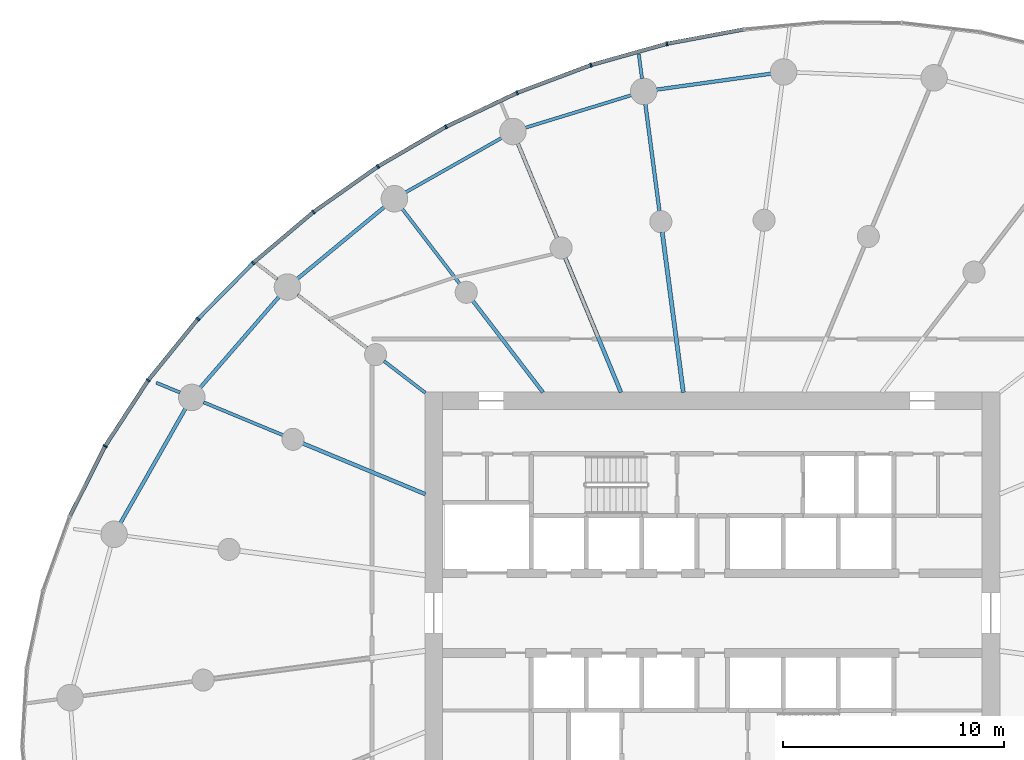
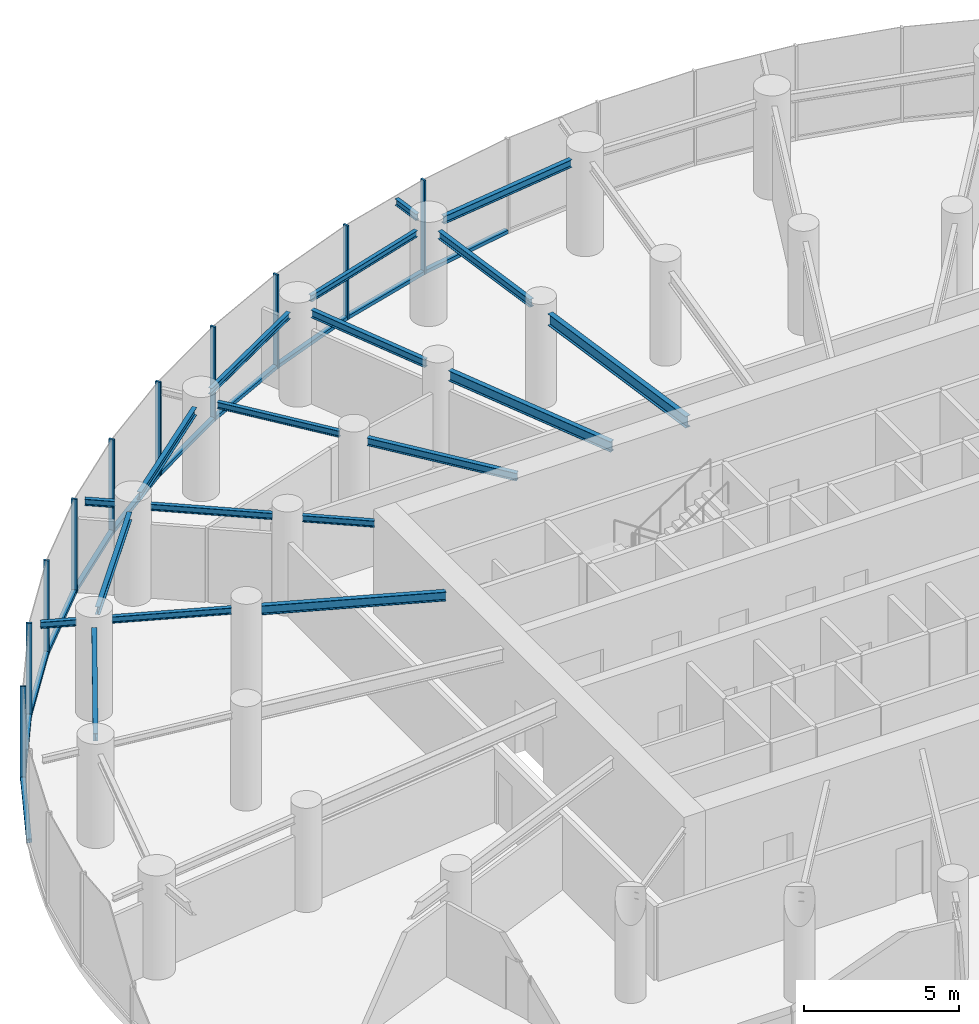
# One storey, part 6 of 17: 21 members, 19 beams, 3 elements without a shape of their own.
"""IFC4 building model written with IfcOpenShell, lengths in metres."""

from ifc_helpers import new_model, si_unit, direction, frame, origin, origin_2d, place, context, subcontext, project, spatial, rectangle, i_section, extrude, source, transform, mapped, material, layer, layer_set, material_profile, profile_set, type_object, element, aggregate, save


model = new_model("IFC4")

# Units and contexts
model_context = context("Model", 3, precision=1e-05, world=origin(), true_north=direction((0.0, 1.0)))
body_context = subcontext(model_context, "Body", "Model", "MODEL_VIEW")
ifc_project = project(units=[si_unit("LENGTHUNIT", "METRE"), si_unit("AREAUNIT", "SQUARE_METRE"), si_unit("VOLUMEUNIT", "CUBIC_METRE"), si_unit("PLANEANGLEUNIT", "RADIAN"), si_unit("MASSUNIT", "GRAM", prefix="KILO")], contexts=[model_context])

# Site, building, storey
site_placement = place(None, origin())
site = spatial("IfcSite", under=ifc_project, at=site_placement, CompositionType="ELEMENT")
building_placement = place(site_placement, origin())
building = spatial("IfcBuilding", under=site, at=building_placement, Name="Spindrift Exchange Tower", CompositionType="ELEMENT")
storey_placement = place(building_placement, frame((0.0, 0.0, 108.5)))
storey = spatial("IfcBuildingStorey", under=building, at=storey_placement, Name="L25", CompositionType="ELEMENT", Elevation=108.5)

# Beams
ifc_material_1 = material(Name="Steel Grade 300", Category="steel")
ifc_material_profile_1 = material_profile(ifc_material_1, i_section(OverallWidth=0.18994140625, OverallDepth=0.45703125, WebThickness=0.009033203125, FlangeThickness=0.014404296875, FilletRadius=0.013916015625, at=origin_2d()), Name="460UB74.6")
ifc_profile_set_1 = profile_set([ifc_material_profile_1], Name="Steel Grade 300")
beam_type_1 = type_object("IfcBeamType", Name="Floor Beam 460UB74.6 Steel Grade 300", PredefinedType="BEAM", material=ifc_profile_set_1)
shared_shape_1 = source(origin(), body_context, "Body", "SweptSolid", [
    extrude(i_section(OverallWidth=0.18994140625, OverallDepth=0.45703125, WebThickness=0.009033203125, FlangeThickness=0.014404296875, FilletRadius=0.013916015625, at=origin_2d()), origin(), (0.0, 0.0, 1.0), 7.3095703125),
])
beam_1_placement = place(storey_placement, frame((50.68603515625, 57.980224609375, 3.471435546875), z_axis=(-0.130527087244, 0.991444743541, 0.0), x_axis=(-0.991444743541, -0.130527087244, 0.0)))
element("IfcBeam", 1, at=beam_1_placement, inside=storey, type_object=beam_type_1, Name="L25 radial beam R07A", PredefinedType="BEAM", context=body_context, shape_type="MappedRepresentation", body=[
    mapped(shared_shape_1, transform((0.0, 0.0, 0.0), scale=1.0)),
])
ifc_material_profile_2 = material_profile(ifc_material_1, i_section(OverallWidth=0.177978515625, OverallDepth=0.406005859375, WebThickness=0.0078125, FlangeThickness=0.0126953125, FilletRadius=0.013916015625, at=origin_2d()), Name="410UB59.7")
ifc_profile_set_2 = profile_set([ifc_material_profile_2], Name="Steel Grade 300")
beam_type_2 = type_object("IfcBeamType", Name="Floor Beam 410UB59.7 Steel Grade 300", PredefinedType="BEAM", material=ifc_profile_set_2)
shared_shape_2 = source(origin(), body_context, "Body", "SweptSolid", [
    extrude(i_section(OverallWidth=0.177978515625, OverallDepth=0.406005859375, WebThickness=0.0078125, FlangeThickness=0.0126953125, FilletRadius=0.013916015625, at=origin_2d()), origin(), (0.0, 0.0, 1.0), 6.594482421875),
])
beam_2_placement = place(storey_placement, frame((47.865478515625, 57.9814453125, 3.4970703125), z_axis=(-0.382692929746, 0.92387559851, 0.0), x_axis=(-0.92387559851, -0.382692929746, 0.0)))
element("IfcBeam", 2, at=beam_2_placement, inside=storey, type_object=beam_type_2, Name="L25 radial beam R08A", PredefinedType="BEAM", context=body_context, shape_type="MappedRepresentation", body=[
    mapped(shared_shape_2, transform((0.0, 0.0, 0.0), scale=1.0)),
])
ifc_material_profile_3 = material_profile(ifc_material_1, i_section(OverallWidth=0.1650390625, OverallDepth=0.303955078125, WebThickness=0.006103515625, FlangeThickness=0.01025390625, FilletRadius=0.011474609375, at=origin_2d()), Name="310UB40.4")
ifc_profile_set_3 = profile_set([ifc_material_profile_3], Name="Steel Grade 300")
beam_type_3 = type_object("IfcBeamType", Name="Floor Beam 310UB40.4 Steel Grade 300", PredefinedType="BEAM", material=ifc_profile_set_3)
shared_shape_3 = source(origin(), body_context, "Body", "SweptSolid", [
    extrude(i_section(OverallWidth=0.1650390625, OverallDepth=0.303955078125, WebThickness=0.006103515625, FlangeThickness=0.01025390625, FilletRadius=0.011474609375, at=origin_2d()), origin(), (0.0, 0.0, 1.0), 5.224609375),
])
beam_3_placement = place(storey_placement, frame((44.3388671875, 57.984130859375, 3.548095703125), z_axis=(-0.608741499316, 0.793368632485, 0.0), x_axis=(-0.793368632485, -0.608741499316, 0.0)))
element("IfcBeam", 3, at=beam_3_placement, inside=storey, type_object=beam_type_3, Name="L25 radial beam R09A", PredefinedType="BEAM", context=body_context, shape_type="MappedRepresentation", body=[
    mapped(shared_shape_3, transform((0.0, 0.0, 0.0), scale=1.0)),
])
ifc_material_profile_4 = material_profile(ifc_material_1, i_section(OverallWidth=0.14599609375, OverallDepth=0.251953125, WebThickness=0.006103515625, FlangeThickness=0.008544921875, FilletRadius=0.011962890625, at=origin_2d()), Name="250UB31.4")
ifc_profile_set_4 = profile_set([ifc_material_profile_4], Name="Steel Grade 300")
beam_type_4 = type_object("IfcBeamType", Name="Floor Beam 250UB31.4 Steel Grade 300", PredefinedType="BEAM", material=ifc_profile_set_4)
shared_shape_4 = source(origin(), body_context, "Body", "SweptSolid", [
    extrude(i_section(OverallWidth=0.14599609375, OverallDepth=0.251953125, WebThickness=0.006103515625, FlangeThickness=0.008544921875, FilletRadius=0.011962890625, at=origin_2d()), origin(), (0.0, 0.0, 1.0), 2.353759765625),
])
beam_4_placement = place(storey_placement, frame((39.015869140625, 57.963134765625, 3.573974609375), z_axis=(-0.793367573265, 0.608742879787, 0.0), x_axis=(-0.608742879787, -0.793367573265, 0.0)))
element("IfcBeam", 4, at=beam_4_placement, inside=storey, type_object=beam_type_4, Name="L25 radial beam R10A", PredefinedType="BEAM", context=body_context, shape_type="MappedRepresentation", body=[
    mapped(shared_shape_4, transform((0.0, 0.0, 0.0), scale=1.0)),
])
ifc_material_profile_5 = material_profile(ifc_material_1, i_section(OverallWidth=0.172119140625, OverallDepth=0.35888671875, WebThickness=0.008056640625, FlangeThickness=0.012939453125, FilletRadius=0.013916015625, at=origin_2d()), Name="360UB56.7")
ifc_profile_set_5 = profile_set([ifc_material_profile_5], Name="Steel Grade 300")
beam_type_5 = type_object("IfcBeamType", Name="Floor Beam 360UB56.7 Steel Grade 300", PredefinedType="BEAM", material=ifc_profile_set_5)
shared_shape_5 = source(origin(), body_context, "Body", "SweptSolid", [
    extrude(i_section(OverallWidth=0.172119140625, OverallDepth=0.35888671875, WebThickness=0.008056640625, FlangeThickness=0.012939453125, FilletRadius=0.013916015625, at=origin_2d()), origin(), (0.0, 0.0, 1.0), 6.004638671875),
])
beam_5_placement = place(storey_placement, frame((39.0185546875, 53.377197265625, 3.5205078125), z_axis=(-0.923882044911, 0.38267736684, 0.0), x_axis=(-0.38267736684, -0.923882044911, 0.0)))
element("IfcBeam", 5, at=beam_5_placement, inside=storey, type_object=beam_type_5, Name="L25 radial beam R11A", PredefinedType="BEAM", context=body_context, shape_type="MappedRepresentation", body=[
    mapped(shared_shape_5, transform((0.0, 0.0, 0.0), scale=1.0)),
])
shared_shape_6 = source(origin(), body_context, "Body", "SweptSolid", [
    extrude(i_section(OverallWidth=0.1650390625, OverallDepth=0.303955078125, WebThickness=0.006103515625, FlangeThickness=0.01025390625, FilletRadius=0.011474609375, at=origin_2d()), origin(), (0.0, 0.0, 1.0), 4.883056640625),
])
beam_6_placement = place(storey_placement, frame((49.606689453125, 66.17919921875, 3.548095703125), z_axis=(-0.130542457964, 0.991442719812, 0.0), x_axis=(-0.991442719812, -0.130542457964, 0.0)))
element("IfcBeam", 6, at=beam_6_placement, inside=storey, type_object=beam_type_3, Name="L25 radial beam R07B", PredefinedType="BEAM", context=body_context, shape_type="MappedRepresentation", body=[
    mapped(shared_shape_6, transform((0.0, 0.0, 0.0), scale=1.0)),
])
shared_shape_7 = source(origin(), body_context, "Body", "SweptSolid", [
    extrude(i_section(OverallWidth=0.1650390625, OverallDepth=0.303955078125, WebThickness=0.006103515625, FlangeThickness=0.01025390625, FilletRadius=0.011474609375, at=origin_2d()), origin(), (0.0, 0.0, 1.0), 4.63671875),
])
beam_7_placement = place(storey_placement, frame((44.974609375, 64.9609375, 3.548095703125), z_axis=(-0.382692818086, 0.923875644763, 0.0), x_axis=(-0.923875644763, -0.382692818086, 0.0)))
element("IfcBeam", 7, at=beam_7_placement, inside=storey, type_object=beam_type_3, Name="L25 radial beam R08B", PredefinedType="BEAM", context=body_context, shape_type="MappedRepresentation", body=[
    mapped(shared_shape_7, transform((0.0, 0.0, 0.0), scale=1.0)),
])
shared_shape_8 = source(origin(), body_context, "Body", "SweptSolid", [
    extrude(i_section(OverallWidth=0.14599609375, OverallDepth=0.251953125, WebThickness=0.006103515625, FlangeThickness=0.008544921875, FilletRadius=0.011962890625, at=origin_2d()), origin(), (0.0, 0.0, 1.0), 4.27587890625),
])
beam_8_placement = place(storey_placement, frame((40.573974609375, 62.890625, 3.573974609375), z_axis=(-0.608725184746, 0.793381150177, 0.0), x_axis=(-0.793381150177, -0.608725184746, 0.0)))
element("IfcBeam", 8, at=beam_8_placement, inside=storey, type_object=beam_type_4, Name="L25 radial beam R09B", PredefinedType="BEAM", context=body_context, shape_type="MappedRepresentation", body=[
    mapped(shared_shape_8, transform((0.0, 0.0, 0.0), scale=1.0)),
])
shared_shape_9 = source(origin(), body_context, "Body", "SweptSolid", [
    extrude(i_section(OverallWidth=0.14599609375, OverallDepth=0.251953125, WebThickness=0.006103515625, FlangeThickness=0.008544921875, FilletRadius=0.011962890625, at=origin_2d()), origin(), (0.0, 0.0, 1.0), 3.966064453125),
])
beam_9_placement = place(storey_placement, frame((36.38671875, 59.98046875, 3.573974609375), z_axis=(-0.79336256318, 0.608749409318, 0.0), x_axis=(-0.608749409318, -0.79336256318, 0.0)))
element("IfcBeam", 9, at=beam_9_placement, inside=storey, type_object=beam_type_4, Name="L25 radial beam R10B", PredefinedType="BEAM", context=body_context, shape_type="MappedRepresentation", body=[
    mapped(shared_shape_9, transform((0.0, 0.0, 0.0), scale=1.0)),
])
shared_shape_10 = source(origin(), body_context, "Body", "SweptSolid", [
    extrude(i_section(OverallWidth=0.14599609375, OverallDepth=0.251953125, WebThickness=0.006103515625, FlangeThickness=0.008544921875, FilletRadius=0.011962890625, at=origin_2d()), origin(), (0.0, 0.0, 1.0), 3.892333984375),
])
beam_10_placement = place(storey_placement, frame((32.583984375, 56.04248046875, 3.573974609375), z_axis=(-0.923878458273, 0.382686025794, 0.0), x_axis=(-0.382686025794, -0.923878458273, 0.0)))
element("IfcBeam", 10, at=beam_10_placement, inside=storey, type_object=beam_type_4, Name="L25 radial beam R11B", PredefinedType="BEAM", context=body_context, shape_type="MappedRepresentation", body=[
    mapped(shared_shape_10, transform((0.0, 0.0, 0.0), scale=1.0)),
])
ifc_material_profile_6 = material_profile(ifc_material_1, i_section(OverallWidth=0.1650390625, OverallDepth=0.303955078125, WebThickness=0.006103515625, FlangeThickness=0.01025390625, FilletRadius=0.011474609375, at=origin_2d()), Name="310UB40.4")
ifc_profile_set_6 = profile_set([ifc_material_profile_6], Name="Steel Grade 300")
beam_type_6 = type_object("IfcBeamType", Name="Edge Beam 310UB40.4 Steel Grade 300", PredefinedType="SPANDREL", material=ifc_profile_set_6)
shared_shape_11 = source(origin(), body_context, "Body", "SweptSolid", [
    extrude(i_section(OverallWidth=0.1650390625, OverallDepth=0.303955078125, WebThickness=0.006103515625, FlangeThickness=0.01025390625, FilletRadius=0.011474609375, at=origin_2d()), origin(), (0.0, 0.0, 1.0), 5.22998046875),
])
beam_11_placement = place(storey_placement, frame((54.64794921875, 72.396728515625, 3.548095703125), z_axis=(-0.990440078597, -0.137943650481, 0.0), x_axis=(0.137943650481, -0.990440078597, 0.0)))
element("IfcBeam", 11, at=beam_11_placement, inside=storey, type_object=beam_type_6, Name="L25 edge beam E06", PredefinedType="SPANDREL", context=body_context, shape_type="MappedRepresentation", body=[
    mapped(shared_shape_11, transform((0.0, 0.0, 0.0), scale=1.0)),
])
ifc_material_profile_7 = material_profile(ifc_material_1, i_section(OverallWidth=0.14599609375, OverallDepth=0.251953125, WebThickness=0.006103515625, FlangeThickness=0.008544921875, FilletRadius=0.011962890625, at=origin_2d()), Name="250UB31.4")
ifc_profile_set_7 = profile_set([ifc_material_profile_7], Name="Steel Grade 300")
beam_type_7 = type_object("IfcBeamType", Name="Edge Beam 250UB31.4 Steel Grade 300", PredefinedType="SPANDREL", material=ifc_profile_set_7)
shared_shape_12 = source(origin(), body_context, "Body", "SweptSolid", [
    extrude(i_section(OverallWidth=0.14599609375, OverallDepth=0.251953125, WebThickness=0.006103515625, FlangeThickness=0.008544921875, FilletRadius=0.011962890625, at=origin_2d()), origin(), (0.0, 0.0, 1.0), 5.027587890625),
])
beam_12_placement = place(storey_placement, frame((48.339111328125, 71.42529296875, 3.573974609375), z_axis=(-0.956018084082, -0.293307727325, 0.0), x_axis=(0.293307727325, -0.956018084082, 0.0)))
element("IfcBeam", 12, at=beam_12_placement, inside=storey, type_object=beam_type_7, Name="L25 edge beam E07", PredefinedType="SPANDREL", context=body_context, shape_type="MappedRepresentation", body=[
    mapped(shared_shape_12, transform((0.0, 0.0, 0.0), scale=1.0)),
])
shared_shape_13 = source(origin(), body_context, "Body", "SweptSolid", [
    extrude(i_section(OverallWidth=0.14599609375, OverallDepth=0.251953125, WebThickness=0.006103515625, FlangeThickness=0.008544921875, FilletRadius=0.011962890625, at=origin_2d()), origin(), (0.0, 0.0, 1.0), 5.0009765625),
])
beam_13_placement = place(storey_placement, frame((42.4736328125, 69.494384765625, 3.573974609375), z_axis=(-0.870045916697, -0.492970691663, 0.0), x_axis=(0.492970691663, -0.870045916697, 0.0)))
element("IfcBeam", 13, at=beam_13_placement, inside=storey, type_object=beam_type_7, Name="L25 edge beam E08", PredefinedType="SPANDREL", context=body_context, shape_type="MappedRepresentation", body=[
    mapped(shared_shape_13, transform((0.0, 0.0, 0.0), scale=1.0)),
])
shared_shape_14 = source(origin(), body_context, "Body", "SweptSolid", [
    extrude(i_section(OverallWidth=0.1650390625, OverallDepth=0.303955078125, WebThickness=0.006103515625, FlangeThickness=0.01025390625, FilletRadius=0.011474609375, at=origin_2d()), origin(), (0.0, 0.0, 1.0), 5.114501953125),
])
beam_14_placement = place(storey_placement, frame((37.1708984375, 66.373779296875, 3.548095703125), z_axis=(-0.771073837992, -0.63674573918, 0.0), x_axis=(0.63674573918, -0.771073837992, 0.0)))
element("IfcBeam", 14, at=beam_14_placement, inside=storey, type_object=beam_type_6, Name="L25 edge beam E09", PredefinedType="SPANDREL", context=body_context, shape_type="MappedRepresentation", body=[
    mapped(shared_shape_14, transform((0.0, 0.0, 0.0), scale=1.0)),
])
shared_shape_15 = source(origin(), body_context, "Body", "SweptSolid", [
    extrude(i_section(OverallWidth=0.1650390625, OverallDepth=0.303955078125, WebThickness=0.006103515625, FlangeThickness=0.01025390625, FilletRadius=0.011474609375, at=origin_2d()), origin(), (0.0, 0.0, 1.0), 5.448486328125),
])
beam_15_placement = place(storey_placement, frame((32.400390625, 62.3095703125, 3.548095703125), z_axis=(-0.654922008827, -0.755696475018, 0.0), x_axis=(0.755696475018, -0.654922008827, 0.0)))
element("IfcBeam", 15, at=beam_15_placement, inside=storey, type_object=beam_type_6, Name="L25 edge beam E10", PredefinedType="SPANDREL", context=body_context, shape_type="MappedRepresentation", body=[
    mapped(shared_shape_15, transform((0.0, 0.0, 0.0), scale=1.0)),
])
shared_shape_16 = source(origin(), body_context, "Body", "SweptSolid", [
    extrude(i_section(OverallWidth=0.1650390625, OverallDepth=0.303955078125, WebThickness=0.006103515625, FlangeThickness=0.01025390625, FilletRadius=0.011474609375, at=origin_2d()), origin(), (0.0, 0.0, 1.0), 5.9599609375),
])
beam_16_placement = place(storey_placement, frame((28.165771484375, 57.24951171875, 3.548095703125), z_axis=(-0.493940434745, -0.869495742901, 0.0), x_axis=(0.869495742901, -0.493940434745, 0.0)))
element("IfcBeam", 16, at=beam_16_placement, inside=storey, type_object=beam_type_6, Name="L25 edge beam E11", PredefinedType="SPANDREL", context=body_context, shape_type="MappedRepresentation", body=[
    mapped(shared_shape_16, transform((0.0, 0.0, 0.0), scale=1.0)),
])
ifc_material_profile_8 = material_profile(ifc_material_1, i_section(OverallWidth=0.14599609375, OverallDepth=0.251953125, WebThickness=0.006103515625, FlangeThickness=0.008544921875, FilletRadius=0.011962890625, at=origin_2d()), Name="250UB31.4")
ifc_profile_set_8 = profile_set([ifc_material_profile_8], Name="Steel Grade 300")
beam_type_8 = type_object("IfcBeamType", Name="Cantilever Beam 250UB31.4 Steel Grade 300", PredefinedType="BEAM", material=ifc_profile_set_8)
shared_shape_17 = source(origin(), body_context, "Body", "SweptSolid", [
    extrude(i_section(OverallWidth=0.14599609375, OverallDepth=0.251953125, WebThickness=0.006103515625, FlangeThickness=0.008544921875, FilletRadius=0.011962890625, at=origin_2d()), origin(), (0.0, 0.0, 1.0), 1.109619140625),
])
beam_17_placement = place(storey_placement, frame((48.81787109375, 72.17041015625, 3.573974609375), z_axis=(-0.130477279337, 0.99145129965, 0.0), x_axis=(-0.99145129965, -0.130477279337, 0.0)))
element("IfcBeam", 17, at=beam_17_placement, inside=storey, type_object=beam_type_8, Name="L25 cantilever beam R07T", PredefinedType="BEAM", context=body_context, shape_type="MappedRepresentation", body=[
    mapped(shared_shape_17, transform((0.0, 0.0, 0.0), scale=1.0)),
])
shared_shape_18 = source(origin(), body_context, "Body", "SweptSolid", [
    extrude(i_section(OverallWidth=0.14599609375, OverallDepth=0.251953125, WebThickness=0.006103515625, FlangeThickness=0.008544921875, FilletRadius=0.011962890625, at=origin_2d()), origin(), (0.0, 0.0, 1.0), 0.978515625),
])
beam_18_placement = place(storey_placement, frame((32.320068359375, 63.10107421875, 3.573974609375), z_axis=(-0.793485861855, 0.608588684611, 0.0), x_axis=(-0.608588684611, -0.793485861855, 0.0)))
element("IfcBeam", 18, at=beam_18_placement, inside=storey, type_object=beam_type_8, Name="L25 cantilever beam R10T", PredefinedType="BEAM", context=body_context, shape_type="MappedRepresentation", body=[
    mapped(shared_shape_18, transform((0.0, 0.0, 0.0), scale=1.0)),
])
shared_shape_19 = source(origin(), body_context, "Body", "SweptSolid", [
    extrude(i_section(OverallWidth=0.14599609375, OverallDepth=0.251953125, WebThickness=0.006103515625, FlangeThickness=0.008544921875, FilletRadius=0.011962890625, at=origin_2d()), origin(), (0.0, 0.0, 1.0), 1.161865234375),
])
beam_19_placement = place(storey_placement, frame((27.91650390625, 57.975830078125, 3.573974609375), z_axis=(-0.923901597303, 0.382630158901, 0.0), x_axis=(-0.382630158901, -0.923901597303, 0.0)))
element("IfcBeam", 19, at=beam_19_placement, inside=storey, type_object=beam_type_8, Name="L25 cantilever beam R11T", PredefinedType="BEAM", context=body_context, shape_type="MappedRepresentation", body=[
    mapped(shared_shape_19, transform((0.0, 0.0, 0.0), scale=1.0)),
])

# Curtain wall, members
ifc_material_2 = material(Name="Fritted laminated glass with bronze frame", Category="glass")
ifc_layer = layer(ifc_material_2, 0.18994140625)
ifc_layer_set = layer_set([ifc_layer], Name="ZONE 2 BRONZE FRITTED WALL")
curtain_wall_type = type_object("IfcCurtainWallType", Name="ZONE 2 BRONZE FRITTED WALL", PredefinedType="NOTDEFINED", material=ifc_layer_set)
curtain_wall_1_placement = place(storey_placement, origin())
curtain_wall_1 = element("IfcCurtainWall", 20, at=curtain_wall_1_placement, inside=storey, type_object=curtain_wall_type, Name="L25 Zone 2 Bronze Fritted Wall run 2", PredefinedType="NOTDEFINED")
ifc_material_3 = material(Name="Bronze anodised aluminium", Category="aluminium")
ifc_material_profile_9 = material_profile(ifc_material_3, rectangle(XDim=0.074951171875, YDim=0.18994140625, at=origin_2d()), Name="ZONE 2 BRONZE FRITTED WALL MULLION 75X190")
ifc_profile_set_9 = profile_set([ifc_material_profile_9], Name="Bronze anodised aluminium")
member_type_1 = type_object("IfcMemberType", Name="ZONE 2 BRONZE FRITTED WALL MULLION 75X190", PredefinedType="MULLION", material=ifc_profile_set_9)
shared_shape_20 = source(origin(), body_context, "Body", "SweptSolid", [
    extrude(rectangle(XDim=0.074951171875, YDim=0.18994140625, at=origin_2d()), origin(), (0.0, 0.0, 1.0), 3.699951171875),
])
member_1_placement = place(storey_placement, frame((49.9423828125, 73.7509765625, 0.0), z_axis=(0.0, 0.0, 1.0), x_axis=(-0.973868948827, -0.227110701005, 0.0)))
member_1 = element("IfcMember", 21, at=member_1_placement, type_object=member_type_1, Name="L25 mullion CW-2.11", PredefinedType="MULLION", context=body_context, shape_type="MappedRepresentation", body=[
    mapped(shared_shape_20, transform((0.0, 0.0, 0.0), scale=1.0)),
])
member_2_placement = place(storey_placement, frame((46.50830078125, 72.787109375, 0.0), z_axis=(0.0, 0.0, 1.0), x_axis=(-0.950248765538, -0.311492028137, 0.0)))
member_2 = element("IfcMember", 22, at=member_2_placement, type_object=member_type_1, Name="L25 mullion CW-2.12", PredefinedType="MULLION", context=body_context, shape_type="MappedRepresentation", body=[
    mapped(shared_shape_20, transform((0.0, 0.0, 0.0), scale=1.0)),
])

curtain_wall_2_placement = place(storey_placement, origin())
curtain_wall_2 = element("IfcCurtainWall", 23, at=curtain_wall_2_placement, inside=storey, type_object=curtain_wall_type, Name="L25 Zone 2 Bronze Fritted Wall run 3", PredefinedType="NOTDEFINED")
member_3_placement = place(storey_placement, frame((43.170166015625, 71.531005859375, 0.0), z_axis=(0.0, 0.0, 1.0), x_axis=(-0.920208568055, -0.391428398661, 0.0)))
member_3 = element("IfcMember", 24, at=member_3_placement, type_object=member_type_1, Name="L25 mullion CW-2.13", PredefinedType="MULLION", context=body_context, shape_type="MappedRepresentation", body=[
    mapped(shared_shape_20, transform((0.0, 0.0, 0.0), scale=1.0)),
])
member_4_placement = place(storey_placement, frame((39.9501953125, 69.997314453125, 0.0), z_axis=(0.0, 0.0, 1.0), x_axis=(-0.883893892087, -0.467687489175, 0.0)))
member_4 = element("IfcMember", 25, at=member_4_placement, type_object=member_type_1, Name="L25 mullion CW-2.14", PredefinedType="MULLION", context=body_context, shape_type="MappedRepresentation", body=[
    mapped(shared_shape_20, transform((0.0, 0.0, 0.0), scale=1.0)),
])
member_5_placement = place(storey_placement, frame((36.87060546875, 68.19775390625, 0.0), z_axis=(0.0, 0.0, 1.0), x_axis=(-0.841098491149, -0.540881990999, 0.0)))
member_5 = element("IfcMember", 26, at=member_5_placement, type_object=member_type_1, Name="L25 mullion CW-2.15", PredefinedType="MULLION", context=body_context, shape_type="MappedRepresentation", body=[
    mapped(shared_shape_20, transform((0.0, 0.0, 0.0), scale=1.0)),
])
member_6_placement = place(storey_placement, frame((33.955810546875, 66.142578125, 0.0), z_axis=(0.0, 0.0, 1.0), x_axis=(-0.791296834294, -0.611432187603, 0.0)))
member_6 = element("IfcMember", 27, at=member_6_placement, type_object=member_type_1, Name="L25 mullion CW-2.16", PredefinedType="MULLION", context=body_context, shape_type="MappedRepresentation", body=[
    mapped(shared_shape_20, transform((0.0, 0.0, 0.0), scale=1.0)),
])
member_7_placement = place(storey_placement, frame((31.231689453125, 63.840576171875, 0.0), z_axis=(0.0, 0.0, 1.0), x_axis=(-0.733625995096, -0.679553455821, 0.0)))
member_7 = element("IfcMember", 28, at=member_7_placement, type_object=member_type_1, Name="L25 mullion CW-2.17", PredefinedType="MULLION", context=body_context, shape_type="MappedRepresentation", body=[
    mapped(shared_shape_20, transform((0.0, 0.0, 0.0), scale=1.0)),
])
member_8_placement = place(storey_placement, frame((28.728271484375, 61.30029296875, 0.0), z_axis=(0.0, 0.0, 1.0), x_axis=(-0.666852741869, -0.745189519963, 0.0)))
member_8 = element("IfcMember", 29, at=member_8_placement, type_object=member_type_1, Name="L25 mullion CW-2.18", PredefinedType="MULLION", context=body_context, shape_type="MappedRepresentation", body=[
    mapped(shared_shape_20, transform((0.0, 0.0, 0.0), scale=1.0)),
])

curtain_wall_3_placement = place(storey_placement, origin())
curtain_wall_3 = element("IfcCurtainWall", 30, at=curtain_wall_3_placement, inside=storey, type_object=curtain_wall_type, Name="L25 Zone 2 Bronze Fritted Wall run 4", PredefinedType="NOTDEFINED")
member_9_placement = place(storey_placement, frame((26.480712890625, 58.531494140625, 0.0), z_axis=(0.0, 0.0, 1.0), x_axis=(-0.589368271909, -0.807864493629, 0.0)))
member_9 = element("IfcMember", 31, at=member_9_placement, type_object=member_type_1, Name="L25 mullion CW-2.19", PredefinedType="MULLION", context=body_context, shape_type="MappedRepresentation", body=[
    mapped(shared_shape_20, transform((0.0, 0.0, 0.0), scale=1.0)),
])
member_10_placement = place(storey_placement, frame((24.5302734375, 55.5458984375, 0.0), z_axis=(0.0, 0.0, 1.0), x_axis=(-0.499268559151, -0.866447289709, 0.0)))
member_10 = element("IfcMember", 32, at=member_10_placement, type_object=member_type_1, Name="L25 mullion CW-2.20", PredefinedType="MULLION", context=body_context, shape_type="MappedRepresentation", body=[
    mapped(shared_shape_20, transform((0.0, 0.0, 0.0), scale=1.0)),
])

# Member
ifc_material_profile_10 = material_profile(ifc_material_3, rectangle(XDim=0.169921875, YDim=0.139892578125, at=origin_2d()), Name="ZONE 2 BRONZE FRITTED WALL TRANSOM 170X140")
ifc_profile_set_10 = profile_set([ifc_material_profile_10], Name="Bronze anodised aluminium")
member_type_2 = type_object("IfcMemberType", Name="ZONE 2 BRONZE FRITTED WALL TRANSOM 170X140", PredefinedType="USERDEFINED", material=ifc_profile_set_10)
shared_shape_21 = source(origin(), body_context, "Body", "SweptSolid", [
    extrude(rectangle(XDim=0.169921875, YDim=0.139892578125, at=origin_2d()), origin(), (0.0, 0.0, 1.0), 3.49169921875),
])
member_11_placement = place(storey_placement, frame((49.90625, 73.74072265625, 0.070068359375), z_axis=(-0.962793177329, -0.270239334087, 0.0), x_axis=(0.270239334087, -0.962793177329, 0.0)))
member_11 = element("IfcMember", 33, at=member_11_placement, type_object=member_type_2, Name="L25 transom CW-2.11", ObjectType="TRANSOM", PredefinedType="USERDEFINED", context=body_context, shape_type="MappedRepresentation", body=[
    mapped(shared_shape_21, transform((0.0, 0.0, 0.0), scale=1.0)),
])

member_12_placement = place(storey_placement, frame((46.473388671875, 72.773681640625, 0.070068359375), z_axis=(-0.935955100105, -0.352119369799, 0.0), x_axis=(0.352119369799, -0.935955100105, 0.0)))
member_12 = element("IfcMember", 34, at=member_12_placement, type_object=member_type_2, Name="L25 transom CW-2.12", ObjectType="TRANSOM", PredefinedType="USERDEFINED", context=body_context, shape_type="MappedRepresentation", body=[
    mapped(shared_shape_21, transform((0.0, 0.0, 0.0), scale=1.0)),
])

member_13_placement = place(storey_placement, frame((43.13623046875, 71.514892578125, 0.070068359375), z_axis=(-0.902821741878, -0.430015002521, 0.0), x_axis=(0.430015002521, -0.902821741878, 0.0)))
member_13 = element("IfcMember", 35, at=member_13_placement, type_object=member_type_2, Name="L25 transom CW-2.13", ObjectType="TRANSOM", PredefinedType="USERDEFINED", context=body_context, shape_type="MappedRepresentation", body=[
    mapped(shared_shape_21, transform((0.0, 0.0, 0.0), scale=1.0)),
])

shared_shape_22 = source(origin(), body_context, "Body", "SweptSolid", [
    extrude(rectangle(XDim=0.169921875, YDim=0.139892578125, at=origin_2d()), origin(), (0.0, 0.0, 1.0), 3.49072265625),
])
member_14_placement = place(storey_placement, frame((24.513427734375, 55.512451171875, 0.070068359375), z_axis=(-0.450064877713, -0.892995859928, 0.0), x_axis=(0.892995859928, -0.450064877713, 0.0)))
member_14 = element("IfcMember", 36, at=member_14_placement, type_object=member_type_2, Name="L25 transom CW-2.20", ObjectType="TRANSOM", PredefinedType="USERDEFINED", context=body_context, shape_type="MappedRepresentation", body=[
    mapped(shared_shape_22, transform((0.0, 0.0, 0.0), scale=1.0)),
])

shared_shape_23 = source(origin(), body_context, "Body", "SweptSolid", [
    extrude(rectangle(XDim=0.169921875, YDim=0.139892578125, at=origin_2d()), origin(), (0.0, 0.0, 1.0), 3.491455078125),
])
member_15_placement = place(storey_placement, frame((53.411376953125, 74.3984375, 0.070068359375), z_axis=(-0.983022266847, -0.183486301622, 0.0), x_axis=(0.183486301622, -0.983022266847, 0.0)))
member_15 = element("IfcMember", 37, at=member_15_placement, type_object=member_type_2, Name="L25 transom CW-2.10", ObjectType="TRANSOM", PredefinedType="USERDEFINED", context=body_context, shape_type="MappedRepresentation", body=[
    mapped(shared_shape_23, transform((0.0, 0.0, 0.0), scale=1.0)),
])

aggregate(curtain_wall_1, [member_15, member_1, member_11, member_2, member_12])

member_16_placement = place(storey_placement, frame((39.917724609375, 69.978271484375, 0.070068359375), z_axis=(-0.863413478517, -0.504496942622, 0.0), x_axis=(0.504496942622, -0.863413478517, 0.0)))
member_16 = element("IfcMember", 38, at=member_16_placement, type_object=member_type_2, Name="L25 transom CW-2.14", ObjectType="TRANSOM", PredefinedType="USERDEFINED", context=body_context, shape_type="MappedRepresentation", body=[
    mapped(shared_shape_23, transform((0.0, 0.0, 0.0), scale=1.0)),
])

member_17_placement = place(storey_placement, frame((33.927001953125, 66.118408203125, 0.070068359375), z_axis=(-0.763783986175, -0.645471937781, 0.0), x_axis=(0.645471937781, -0.763783986175, 0.0)))
member_17 = element("IfcMember", 39, at=member_17_placement, type_object=member_type_2, Name="L25 transom CW-2.16", ObjectType="TRANSOM", PredefinedType="USERDEFINED", context=body_context, shape_type="MappedRepresentation", body=[
    mapped(shared_shape_23, transform((0.0, 0.0, 0.0), scale=1.0)),
])

member_18_placement = place(storey_placement, frame((31.205322265625, 63.813720703125, 0.070068359375), z_axis=(-0.70191335214, -0.712262343584, 0.0), x_axis=(0.712262343584, -0.70191335214, 0.0)))
member_18 = element("IfcMember", 40, at=member_18_placement, type_object=member_type_2, Name="L25 transom CW-2.17", ObjectType="TRANSOM", PredefinedType="USERDEFINED", context=body_context, shape_type="MappedRepresentation", body=[
    mapped(shared_shape_23, transform((0.0, 0.0, 0.0), scale=1.0)),
])

member_19_placement = place(storey_placement, frame((28.70458984375, 61.271240234375, 0.070068359375), z_axis=(-0.630247701711, -0.776394123167, 0.0), x_axis=(0.776394123167, -0.630247701711, 0.0)))
member_19 = element("IfcMember", 41, at=member_19_placement, type_object=member_type_2, Name="L25 transom CW-2.18", ObjectType="TRANSOM", PredefinedType="USERDEFINED", context=body_context, shape_type="MappedRepresentation", body=[
    mapped(shared_shape_23, transform((0.0, 0.0, 0.0), scale=1.0)),
])

shared_shape_24 = source(origin(), body_context, "Body", "SweptSolid", [
    extrude(rectangle(XDim=0.169921875, YDim=0.139892578125, at=origin_2d()), origin(), (0.0, 0.0, 1.0), 3.490966796875),
])
member_20_placement = place(storey_placement, frame((26.460205078125, 58.5, 0.070068359375), z_axis=(-0.546945970016, -0.83716790782, 0.0), x_axis=(0.83716790782, -0.546945970016, 0.0)))
member_20 = element("IfcMember", 42, at=member_20_placement, type_object=member_type_2, Name="L25 transom CW-2.19", ObjectType="TRANSOM", PredefinedType="USERDEFINED", context=body_context, shape_type="MappedRepresentation", body=[
    mapped(shared_shape_24, transform((0.0, 0.0, 0.0), scale=1.0)),
])

aggregate(curtain_wall_3, [member_9, member_20, member_10, member_14])

shared_shape_25 = source(origin(), body_context, "Body", "SweptSolid", [
    extrude(rectangle(XDim=0.169921875, YDim=0.139892578125, at=origin_2d()), origin(), (0.0, 0.0, 1.0), 3.491943359375),
])
member_21_placement = place(storey_placement, frame((36.840087890625, 68.17626953125, 0.070068359375), z_axis=(-0.817266154861, -0.576260385693, 0.0), x_axis=(0.576260385693, -0.817266154861, 0.0)))
member_21 = element("IfcMember", 43, at=member_21_placement, type_object=member_type_2, Name="L25 transom CW-2.15", ObjectType="TRANSOM", PredefinedType="USERDEFINED", context=body_context, shape_type="MappedRepresentation", body=[
    mapped(shared_shape_25, transform((0.0, 0.0, 0.0), scale=1.0)),
])

aggregate(curtain_wall_2, [member_3, member_13, member_4, member_16, member_5, member_21, member_6, member_17, member_7, member_18, member_8, member_19])

save(model, "model.ifc")
